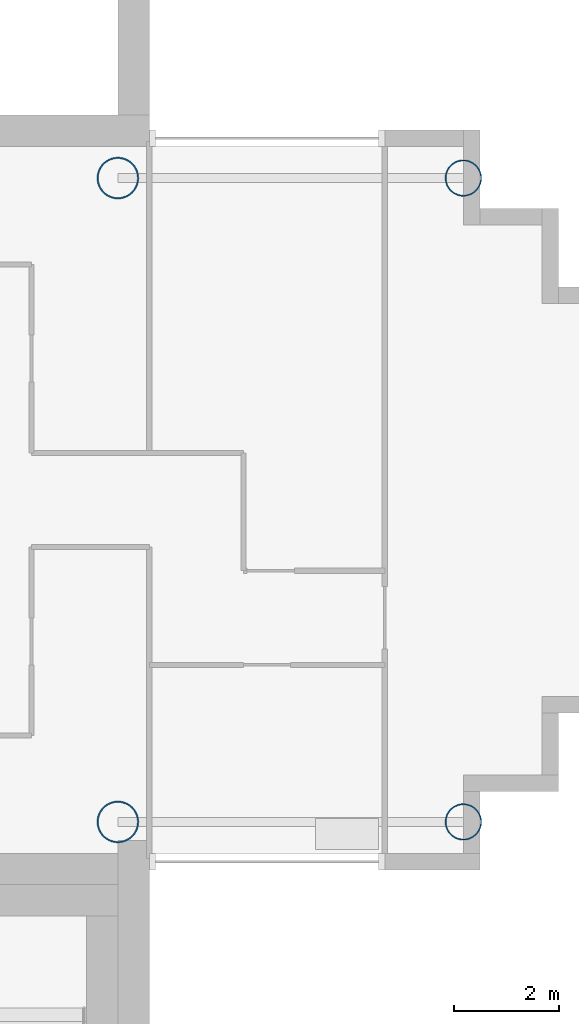
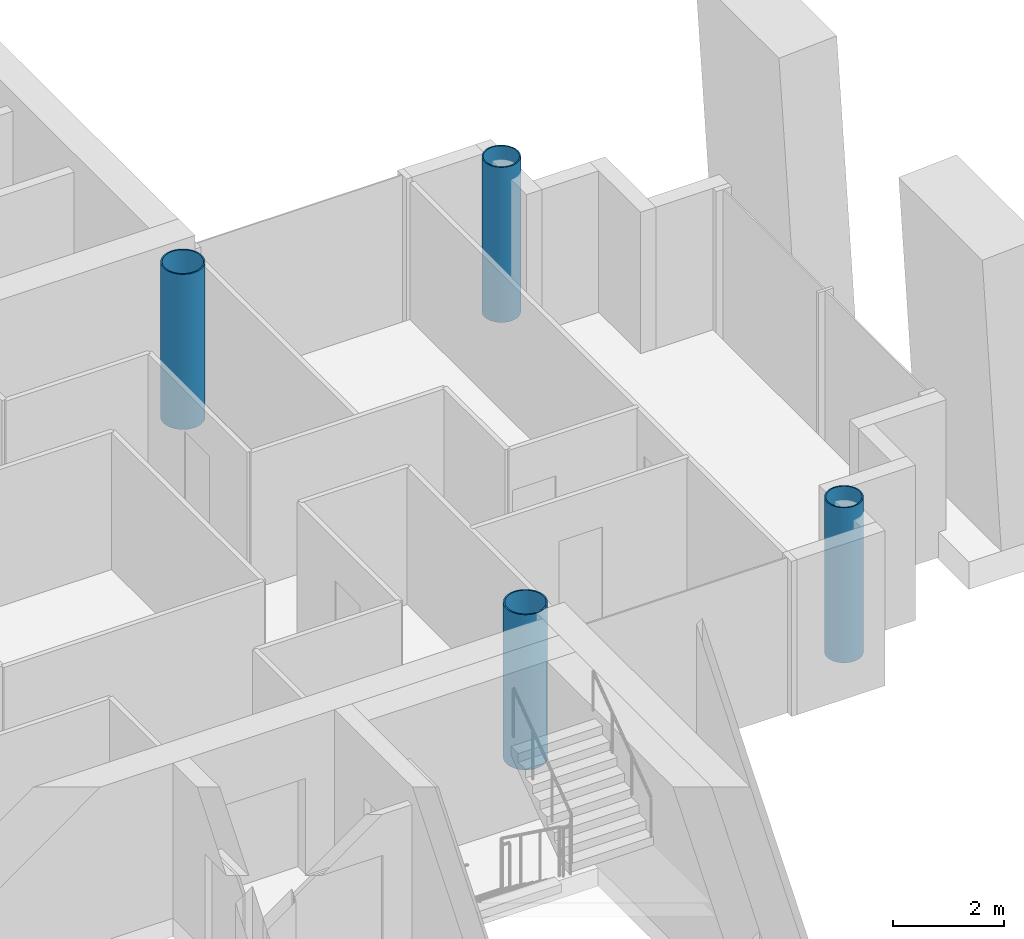
# One storey, part 2 of 18: 4 columns.
"""IFC4 building model written with IfcOpenShell, lengths in metres."""

from ifc_helpers import new_model, si_unit, direction, frame, origin, origin_2d, place, context, subcontext, project, spatial, hollow_circle, extrude, material, material_profile, profile_set, type_object, element, save


model = new_model("IFC4")

# Units and contexts
model_context = context("Model", 3, precision=1e-05, world=origin(), true_north=direction((0.0, 1.0)))
body_context = subcontext(model_context, "Body", "Model", "MODEL_VIEW")
ifc_project = project(units=[si_unit("LENGTHUNIT", "METRE"), si_unit("AREAUNIT", "SQUARE_METRE"), si_unit("VOLUMEUNIT", "CUBIC_METRE"), si_unit("PLANEANGLEUNIT", "RADIAN"), si_unit("MASSUNIT", "GRAM", prefix="KILO")], contexts=[model_context])

# Site, building, storey
site_placement = place(None, origin())
site = spatial("IfcSite", under=ifc_project, at=site_placement, CompositionType="ELEMENT")
building_placement = place(site_placement, origin())
building = spatial("IfcBuilding", under=site, at=building_placement, Name="Ipe Terrace Towers", CompositionType="ELEMENT")
storey_placement = place(building_placement, frame((0.0, 0.0, 196.0)))
storey = spatial("IfcBuildingStorey", under=building, at=storey_placement, Name="L54", CompositionType="ELEMENT", Elevation=196.0)

# Columns
ifc_material_1 = material(Name="Steel S355 tube with Concrete C60/75 fill", Category="concrete")
ifc_material_profile_1 = material_profile(ifc_material_1, hollow_circle(Radius=0.35009765625, WallThickness=0.02490234375, at=origin_2d()), Name="CHS-700x25")
ifc_profile_set_1 = profile_set([ifc_material_profile_1], Name="Steel S355 tube with Concrete C60/75 fill")
column_type_1 = type_object("IfcColumnType", Name="CH08 COLUMN CHS-700x25", PredefinedType="COLUMN", material=ifc_profile_set_1)
for number, where, z_axis, x_axis, name in (
    (1, (48.75, -6.14990234375, 0.0), (0.0, 0.0, 1.0), (1.0, 0.0, 0.0), "Column T2-C-D01"),
    (2, (48.75, 6.14990234375, 0.0), (0.0, 0.0, 1.0), (1.0, 0.0, 0.0), "Column T2-C-D02"),
):
    element("IfcColumn", number, at=place(storey_placement, frame(where, z_axis=z_axis, x_axis=x_axis)), inside=storey, type_object=column_type_1, Name=name, PredefinedType="COLUMN", context=body_context, shape_type="SweptSolid", body=[
        extrude(hollow_circle(Radius=0.35009765625, WallThickness=0.02490234375, at=origin_2d()), origin(), (0.0, 0.0, 1.0), 3.39990234375),
    ])
ifc_material_2 = material(Name="Steel S355 tube with Concrete C60/75 fill", Category="concrete")
ifc_material_profile_2 = material_profile(ifc_material_2, hollow_circle(Radius=0.39990234375, WallThickness=0.028076171875, at=origin_2d()), Name="CHS-800x28")
ifc_profile_set_2 = profile_set([ifc_material_profile_2], Name="Steel S355 tube with Concrete C60/75 fill")
column_type_2 = type_object("IfcColumnType", Name="CH09 COLUMN CHS-800x28", PredefinedType="COLUMN", material=ifc_profile_set_2)
for number, where, z_axis, x_axis, name in (
    (3, (42.14990234375, -6.14990234375, 0.0), (0.0, 0.0, 1.0), (1.0, 0.0, 0.0), "Column T2-C-E01"),
    (4, (42.14990234375, 6.14990234375, 0.0), (0.0, 0.0, 1.0), (1.0, 0.0, 0.0), "Column T2-C-E02"),
):
    element("IfcColumn", number, at=place(storey_placement, frame(where, z_axis=z_axis, x_axis=x_axis)), inside=storey, type_object=column_type_2, Name=name, PredefinedType="COLUMN", context=body_context, shape_type="SweptSolid", body=[
        extrude(hollow_circle(Radius=0.39990234375, WallThickness=0.028076171875, at=origin_2d()), origin(), (0.0, 0.0, 1.0), 3.39990234375),
    ])

save(model, "model.ifc")
